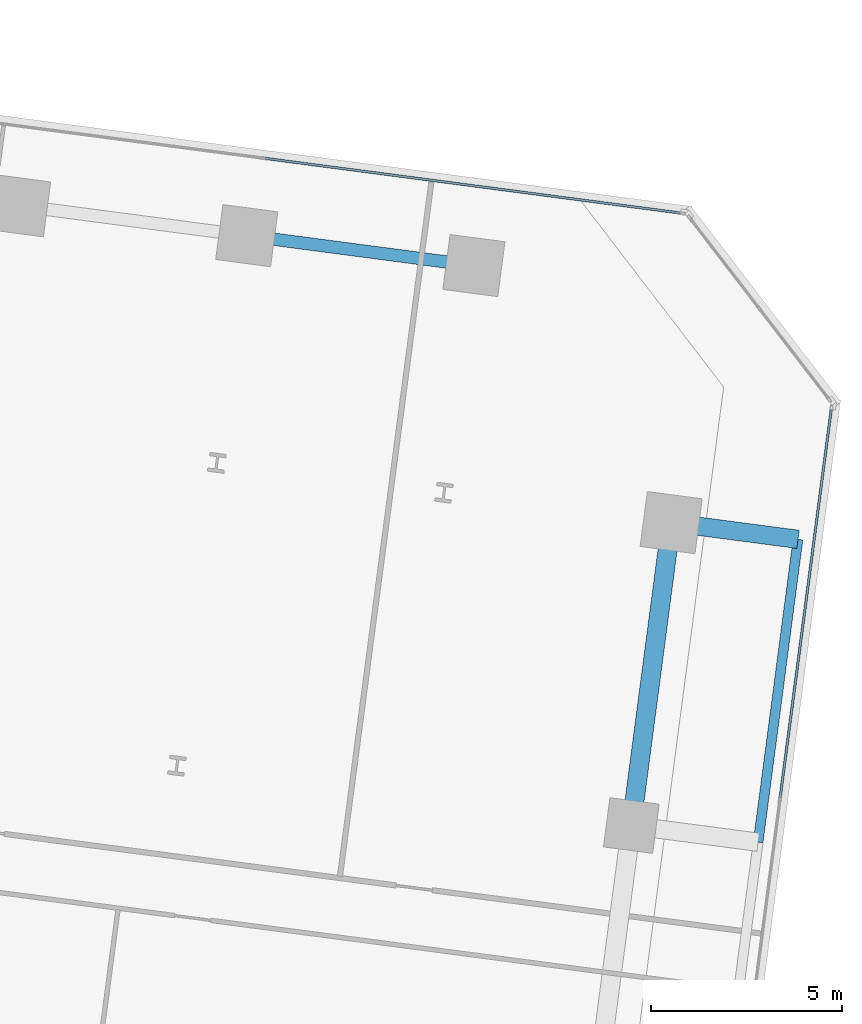
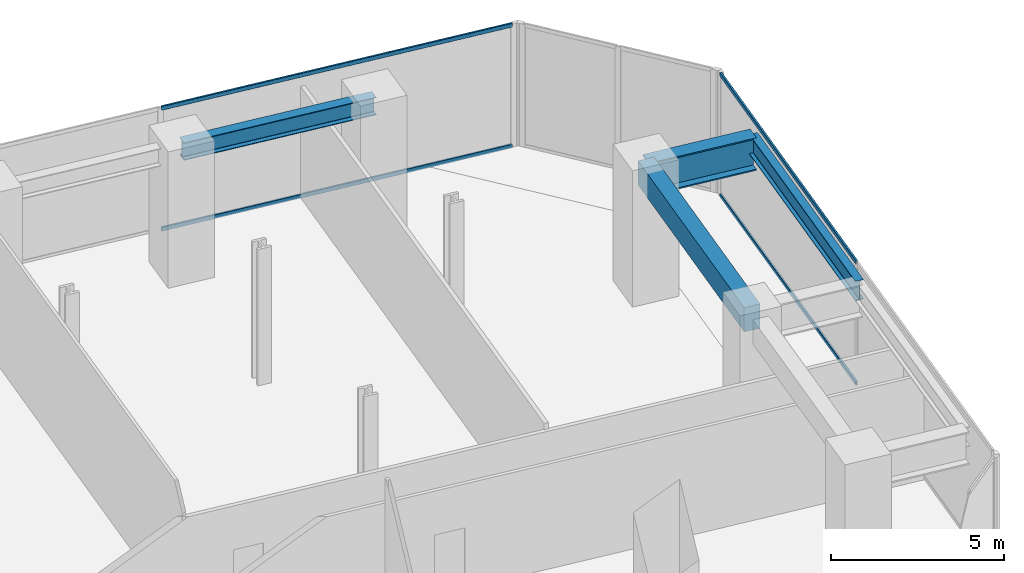
# One storey, part 13 of 24: 4 beams, 4 members, 2 elements without a shape of their own.
"""IFC4 building model written with IfcOpenShell, lengths in metres."""

import ifcopenshell
import ifcopenshell.guid

model = None  # the IFC model being written
_history = None  # IfcOwnerHistory: only IFC2X3 demands one
_inside = {}  # id of a spatial element -> (the spatial element, [elements in it])
_under = {}  # id of a project, library or spatial element -> (it, [spatial elements below it])
_declared = {}  # id of a project -> (the project, [libraries it declares])
_typed = {}  # id of a type object -> (the type object, [elements of that type])
_made_of = {}  # id of a material, layer set ... -> (it, [elements and type objects made of it])


def new_model(schema):
    """Start an empty IFC model of exactly this schema.

    Asked for "IFC4X3", IfcOpenShell would pick the latest addendum, in which some entities
    have other attributes; the version numbers below select the first issue.
    IFC2X3 requires an IfcOwnerHistory on every rooted entity: one is made here for all.
    """
    global model, _history
    if schema == "IFC4X3":
        model = ifcopenshell.file(schema_version=(4, 3, 0, 0))
    else:
        model = ifcopenshell.file(schema=schema)
    _inside.clear()
    _under.clear()
    _declared.clear()
    _typed.clear()
    _made_of.clear()
    _history = None
    if model.schema == "IFC2X3":
        org = make("IfcOrganization", Name="unknown")
        user = make(
            "IfcPersonAndOrganization",
            ThePerson=make("IfcPerson", FamilyName="unknown"),
            TheOrganization=org,
        )
        app = make(
            "IfcApplication",
            ApplicationDeveloper=org,
            Version="unknown",
            ApplicationFullName="unknown",
            ApplicationIdentifier="unknown",
        )
        _history = make(
            "IfcOwnerHistory",
            OwningUser=user,
            OwningApplication=app,
            ChangeAction="ADDED",
            CreationDate=0,
        )
    return model


def make(cls, **values):
    """One entity of the class cls with the attributes given. An attribute that is None is left unset."""
    return model.create_entity(
        cls, **{name: value for name, value in values.items() if value is not None}
    )


def rooted(cls, **values):
    """An entity with a GlobalId (a new one), such as an element, a storey or a relation."""
    return make(cls, GlobalId=ifcopenshell.guid.new(), OwnerHistory=_history, **values)


def si_unit(unit_type, name, prefix=None):
    """IfcSIUnit, for example si_unit("LENGTHUNIT", "METRE", prefix="MILLI")."""
    return make("IfcSIUnit", UnitType=unit_type, Prefix=prefix, Name=name)


def assignment(units):
    """IfcUnitAssignment: the units of a project."""
    return None if units is None else make("IfcUnitAssignment", Units=units)


def point(xyz):
    """IfcCartesianPoint."""
    return None if xyz is None else make("IfcCartesianPoint", Coordinates=xyz)


def direction(xyz):
    """IfcDirection."""
    return None if xyz is None else make("IfcDirection", DirectionRatios=xyz)


def frame(location, z_axis=None, x_axis=None):
    """IfcAxis2Placement3D, a coordinate frame: its origin and axes. An axis left out is left unset."""
    return make(
        "IfcAxis2Placement3D",
        Location=point(location),
        Axis=direction(z_axis),
        RefDirection=direction(x_axis),
    )


def frame_2d(location, x_axis=None):
    """IfcAxis2Placement2D, a coordinate frame in the plane: its origin and x axis."""
    return make(
        "IfcAxis2Placement2D", Location=point(location), RefDirection=direction(x_axis)
    )


def origin():
    """The frame at (0, 0, 0) with its axes left unset."""
    return frame((0.0, 0.0, 0.0))


def origin_2d():
    """The frame at (0, 0) in the plane with its x axis left unset."""
    return frame_2d((0.0, 0.0))


def place(relative_to, where):
    """IfcLocalPlacement: puts the frame where relative to a parent placement (None: the world)."""
    return make(
        "IfcLocalPlacement", PlacementRelTo=relative_to, RelativePlacement=where
    )


def context(
    kind, dimensions, precision=None, world=None, true_north=None, identifier=None
):
    """IfcGeometricRepresentationContext, for example the 3D "Model" context."""
    return make(
        "IfcGeometricRepresentationContext",
        ContextIdentifier=identifier,
        ContextType=kind,
        CoordinateSpaceDimension=dimensions,
        Precision=precision,
        WorldCoordinateSystem=world,
        TrueNorth=true_north,
    )


def subcontext(parent, identifier, kind, view, scale=None):
    """IfcGeometricRepresentationSubContext, for example "Body" below "Model"."""
    return make(
        "IfcGeometricRepresentationSubContext",
        ContextIdentifier=identifier,
        ContextType=kind,
        ParentContext=parent,
        TargetScale=scale,
        TargetView=view,
    )


def project(units=None, contexts=None):
    """IfcProject with its units and contexts."""
    return rooted(
        "IfcProject",
        Name="project",
        RepresentationContexts=contexts,
        UnitsInContext=assignment(units),
    )


def spatial(cls, under=None, at=None, **own):
    """A site, building, storey or space (cls), placed at a placement, below another one or the project."""
    s = rooted(cls, ObjectPlacement=at, **own)
    if under is not None:
        _under.setdefault(under.id(), (under, []))[1].append(s)
    return s


def profile(cls, at=None, kind="AREA", **sizes):
    """A parametric profile (cls). Its sizes go by their IFC names, for example OverallWidth=200.0."""
    return make(cls, ProfileType=kind, Position=at, **sizes)


def rectangle(**sizes):
    """IfcRectangleProfileDef."""
    return profile("IfcRectangleProfileDef", **sizes)


def hollow_rectangle(**sizes):
    """IfcRectangleHollowProfileDef."""
    return profile("IfcRectangleHollowProfileDef", **sizes)


def i_section(**sizes):
    """IfcIShapeProfileDef."""
    return profile("IfcIShapeProfileDef", **sizes)


def extrude(swept, where, along, depth):
    """IfcExtrudedAreaSolid: the profile swept, set in the frame where, extruded along a direction by depth."""
    return make(
        "IfcExtrudedAreaSolid",
        SweptArea=swept,
        Position=where,
        ExtrudedDirection=direction(along),
        Depth=depth,
    )


def shape(context_of_items, identifier, shape_type, items):
    """IfcShapeRepresentation: the items that make up one representation, for example the "Body"."""
    return make(
        "IfcShapeRepresentation",
        ContextOfItems=context_of_items,
        RepresentationIdentifier=identifier,
        RepresentationType=shape_type,
        Items=items,
    )


def source(mapping_origin, context_of_items, identifier, shape_type, items):
    """IfcRepresentationMap: a shape defined once, which mapped items show again and again."""
    return make(
        "IfcRepresentationMap",
        MappingOrigin=mapping_origin,
        MappedRepresentation=shape(context_of_items, identifier, shape_type, items),
    )


def transform(
    local_origin,
    x_axis=None,
    y_axis=None,
    z_axis=None,
    scale=None,
    scale2=None,
    scale3=None,
    uniform=True,
):
    """IfcCartesianTransformationOperator3D, or its non-uniform kind. x_axis, y_axis, z_axis: its Axis1, 2, 3."""
    if uniform:
        return make(
            "IfcCartesianTransformationOperator3D",
            Axis1=direction(x_axis),
            Axis2=direction(y_axis),
            LocalOrigin=point(local_origin),
            Scale=scale,
            Axis3=direction(z_axis),
        )
    return make(
        "IfcCartesianTransformationOperator3DnonUniform",
        Axis1=direction(x_axis),
        Axis2=direction(y_axis),
        LocalOrigin=point(local_origin),
        Scale=scale,
        Axis3=direction(z_axis),
        Scale2=scale2,
        Scale3=scale3,
    )


def mapped(mapping_source, mapping_target):
    """IfcMappedItem: shows the shape of a source again, moved by a transform."""
    return make(
        "IfcMappedItem", MappingSource=mapping_source, MappingTarget=mapping_target
    )


def material(Name=None, Category=None):
    """IfcMaterial."""
    return make("IfcMaterial", Name=Name, Category=Category)


def material_profile(
    of_material, cross_section, Name=None, Category=None, Priority=None
):
    """IfcMaterialProfile: a cross section and its material."""
    return make(
        "IfcMaterialProfile",
        Name=Name,
        Material=of_material,
        Profile=cross_section,
        Priority=Priority,
        Category=Category,
    )


def profile_set(profiles, Name=None, composite=None):
    """IfcMaterialProfileSet."""
    return make(
        "IfcMaterialProfileSet",
        Name=Name,
        MaterialProfiles=profiles,
        CompositeProfile=composite,
    )


def made_of(thing, what):
    """Note that an element or type object is made of a material, layer set ...; save() writes the relation."""
    if what is not None:
        _made_of.setdefault(what.id(), (what, []))[1].append(thing)
    return thing


def type_object(cls, material=None, **own):
    """A type object (cls), such as IfcWallType, which elements share."""
    return made_of(rooted(cls, **own), material)


def element(
    cls,
    number,
    at=None,
    inside=None,
    cuts=None,
    type_object=None,
    material=None,
    context=None,
    identifier="Body",
    shape_type=None,
    held_by="IfcProductDefinitionShape",
    body=None,
    shapes=None,
    **own,
):
    """One element of the class cls, such as IfcWall. Its Tag is "e" and its number.

    at: its placement. inside: the storey or other place that contains it. cuts: it is an
    opening in that element (IfcRelVoidsElement). A single representation is given by context,
    identifier, shape_type and body (its items); several are given by shapes. held_by: the class
    of the entity that holds the representations. save() writes the other relations.
    """
    e = rooted(cls, Tag="e%d" % number, ObjectPlacement=at, **own)
    if body is not None:
        shapes = [shape(context, identifier, shape_type, body)]
    if shapes is not None:
        e.Representation = make(held_by, Representations=shapes)
    if inside is not None:
        _inside.setdefault(inside.id(), (inside, []))[1].append(e)
    if cuts is not None:
        rooted(
            "IfcRelVoidsElement", RelatingBuildingElement=cuts, RelatedOpeningElement=e
        )
    if type_object is not None:
        _typed.setdefault(type_object.id(), (type_object, []))[1].append(e)
    return made_of(e, material)


def aggregate(whole, parts):
    """IfcRelAggregates: a whole, such as a stair, and the parts it consists of."""
    return rooted("IfcRelAggregates", RelatingObject=whole, RelatedObjects=parts)


def save(model, path):
    """Write the relations noted so far, then the file.

    IfcRelAggregates (storeys below a building ...), IfcRelContainedInSpatialStructure (elements
    in a storey), IfcRelDefinesByType, IfcRelAssociatesMaterial and IfcRelDeclares: one each for
    every whole, place, type object, material and project.
    """
    for whole, parts in _under.values():
        aggregate(whole, parts)
    for where, things in _inside.values():
        rooted(
            "IfcRelContainedInSpatialStructure",
            RelatedElements=things,
            RelatingStructure=where,
        )
    for kind, things in _typed.values():
        rooted("IfcRelDefinesByType", RelatedObjects=things, RelatingType=kind)
    for what, things in _made_of.values():
        rooted("IfcRelAssociatesMaterial", RelatedObjects=things, RelatingMaterial=what)
    for by, libraries in _declared.values():
        rooted("IfcRelDeclares", RelatingContext=by, RelatedDefinitions=libraries)
    model.write(path)


model = new_model("IFC4")

# Units and contexts
model_context = context("Model", 3, precision=1e-05, world=origin(), true_north=direction((0.0, 1.0)))
body_context = subcontext(model_context, "Body", "Model", "MODEL_VIEW")
ifc_project = project(units=[si_unit("LENGTHUNIT", "METRE"), si_unit("AREAUNIT", "SQUARE_METRE"), si_unit("VOLUMEUNIT", "CUBIC_METRE"), si_unit("PLANEANGLEUNIT", "RADIAN"), si_unit("MASSUNIT", "GRAM", prefix="KILO")], contexts=[model_context])

# Site, building, storey
site_placement = place(None, origin())
site = spatial("IfcSite", under=ifc_project, at=site_placement, CompositionType="ELEMENT")
building_placement = place(site_placement, origin())
building = spatial("IfcBuilding", under=site, at=building_placement, Name="Torre Montelarca", CompositionType="ELEMENT")
storey_placement = place(building_placement, frame((0.0, 0.0, 61.60009765625)))
storey = spatial("IfcBuildingStorey", under=building, at=storey_placement, Name="L13", CompositionType="ELEMENT", Elevation=61.60009765625)

# Beams
ifc_material_1 = material(Name="Steel ASTM A992 Grade 50", Category="steel")
ifc_material_profile_1 = material_profile(ifc_material_1, i_section(OverallWidth=0.326904296875, OverallDepth=0.6220703125, WebThickness=0.015380859375, FlangeThickness=0.0244140625, FilletRadius=0.014892578125, at=origin_2d()), Name="W610X195", Category="steel")
ifc_profile_set_1 = profile_set([ifc_material_profile_1], Name="Steel ASTM A992 Grade 50")
beam_type_1 = type_object("IfcBeamType", Name="BM-G-W610H", PredefinedType="BEAM", material=ifc_profile_set_1)
shared_shape_1 = source(origin(), body_context, "Body", "SweptSolid", [
    extrude(i_section(OverallWidth=0.326904296875, OverallDepth=0.6220703125, WebThickness=0.015380859375, FlangeThickness=0.0244140625, FilletRadius=0.014892578125, at=origin_2d()), origin(), (0.0, 0.0, 1.0), 6.0),
])
beam_1_placement = place(storey_placement, frame((49.6005859375, 42.42138671875, 4.2490234375), z_axis=(0.991444043898, -0.130532401413, 0.0), x_axis=(0.130532401413, 0.991444043898, 0.0)))
element("IfcBeam", 1, at=beam_1_placement, inside=storey, type_object=beam_type_1, Name="L13 Grid Girder X 48.0-54.0 at Y=46.0", PredefinedType="BEAM", context=body_context, shape_type="MappedRepresentation", body=[
    mapped(shared_shape_1, transform((0.0, 0.0, 0.0), scale=1.0)),
])
ifc_material_2 = material(Name="Concrete C55/67", Category="concrete")
ifc_material_profile_2 = material_profile(ifc_material_2, rectangle(XDim=0.5, YDim=0.85009765625, at=origin_2d()), Name="RCB500X850", Category="concrete")
ifc_profile_set_2 = profile_set([ifc_material_profile_2], Name="Concrete C55/67")
beam_type_2 = type_object("IfcBeamType", Name="BM-SP-RC850-EXT", PredefinedType="SPANDREL", material=ifc_profile_set_2)
shared_shape_2 = source(origin(), body_context, "Body", "SweptSolid", [
    extrude(rectangle(XDim=0.5, YDim=0.85009765625, at=origin_2d()), origin(), (0.0, 0.0, 1.0), 8.0),
])
beam_2_placement = place(storey_placement, frame((59.670654296875, 26.974609375, 4.135009765625), z_axis=(0.130522402305, 0.991445360318, 0.0), x_axis=(-0.991445360318, 0.130522402305, 0.0)))
element("IfcBeam", 2, at=beam_2_placement, inside=storey, type_object=beam_type_2, Name="L13 Grid Girder Y 32.0-40.0 at X=60.0", PredefinedType="SPANDREL", context=body_context, shape_type="MappedRepresentation", body=[
    mapped(shared_shape_2, transform((0.0, 0.0, 0.0), scale=1.0)),
])
ifc_material_3 = material(Name="Steel ASTM A572 Grade 50", Category="steel")
ifc_material_profile_3 = material_profile(ifc_material_3, i_section(OverallWidth=0.47998046875, OverallDepth=1.14990234375, WebThickness=0.02197265625, FlangeThickness=0.044921875, at=origin_2d()), Name="PG1150X480X22X45", Category="steel")
ifc_profile_set_3 = profile_set([ifc_material_profile_3], Name="Steel ASTM A572 Grade 50")
beam_type_3 = type_object("IfcBeamType", Name="BM-CG-PG1400-EXT", PredefinedType="USERDEFINED", material=ifc_profile_set_3)
shared_shape_3 = source(origin(), body_context, "Body", "SweptSolid", [
    extrude(i_section(OverallWidth=0.47998046875, OverallDepth=1.14990234375, WebThickness=0.02197265625, FlangeThickness=0.044921875, at=origin_2d()), origin(), (0.0, 0.0, 1.0), 3.349853515625),
])
beam_3_placement = place(storey_placement, frame((60.71484375, 34.90625, 3.98486328125), z_axis=(0.991444866817, -0.130526150873, 0.0), x_axis=(0.130526150873, 0.991444866817, 0.0)))
element("IfcBeam", 3, at=beam_3_placement, inside=storey, type_object=beam_type_3, Name="L13 Sliding Tray Cantilever Girder East Y=40m (FLR)", ObjectType="CANTILEVER GIRDER", PredefinedType="USERDEFINED", context=body_context, shape_type="MappedRepresentation", body=[
    mapped(shared_shape_3, transform((0.0, 0.0, 0.0), scale=1.0)),
])
ifc_material_profile_4 = material_profile(ifc_material_1, i_section(OverallWidth=0.256103515625, OverallDepth=0.693115234375, WebThickness=0.014404296875, FlangeThickness=0.023681640625, FilletRadius=0.01806640625, at=origin_2d()), Name="W690X170", Category="steel")
ifc_profile_set_4 = profile_set([ifc_material_profile_4], Name="Steel ASTM A992 Grade 50")
beam_type_4 = type_object("IfcBeamType", Name="BM-G-W690-EXT", PredefinedType="BEAM", material=ifc_profile_set_4)
shared_shape_4 = source(origin(), body_context, "Body", "SweptSolid", [
    extrude(i_section(OverallWidth=0.256103515625, OverallDepth=0.693115234375, WebThickness=0.014404296875, FlangeThickness=0.023681640625, FilletRadius=0.01806640625, at=origin_2d()), origin(), (0.0, 0.0, 1.0), 7.999755859375),
])
beam_4_placement = place(storey_placement, frame((62.991943359375, 26.53759765625, 4.212890625), z_axis=(0.130526351537, 0.991444840399, 0.0), x_axis=(-0.991444840399, 0.130526351537, 0.0)))
element("IfcBeam", 4, at=beam_4_placement, inside=storey, type_object=beam_type_4, Name="L13 Sliding Tray Edge Girder East 32-40m (FLR)", PredefinedType="BEAM", context=body_context, shape_type="MappedRepresentation", body=[
    mapped(shared_shape_4, transform((0.0, 0.0, 0.0), scale=1.0)),
])

# Curtain wall, members
ifc_material_4 = material(Name="Insulated low-E laminated glass", Category="glass")
curtain_wall_type = type_object("IfcCurtainWallType", Name="CW-SYS-Z1", PredefinedType="USERDEFINED", material=ifc_material_4)
curtain_wall_1_placement = place(storey_placement, origin())
curtain_wall_1 = element("IfcCurtainWall", 5, at=curtain_wall_1_placement, inside=storey, type_object=curtain_wall_type, Name="L13 Curtain Wall Run CW-T3-L13-E08-B1", ObjectType="UNITISED GLAZING", PredefinedType="USERDEFINED")
ifc_material_5 = material(Name="Anodised aluminium AA 6063-T6", Category="aluminium")
ifc_material_profile_5 = material_profile(ifc_material_5, hollow_rectangle(XDim=0.06494140625, YDim=0.139892578125, WallThickness=0.00390625, InnerFilletRadius=0.00390625, OuterFilletRadius=0.008056640625, at=origin_2d()), Name="ALU65X140X4", Category="aluminium")
ifc_profile_set_5 = profile_set([ifc_material_profile_5], Name="Anodised aluminium AA 6063-T6")
member_type = type_object("IfcMemberType", Name="CWT-ALU140", PredefinedType="USERDEFINED", material=ifc_profile_set_5)
shared_shape_5 = source(origin(), body_context, "Body", "SweptSolid", [
    extrude(hollow_rectangle(XDim=0.06494140625, YDim=0.139892578125, WallThickness=0.00390625, InnerFilletRadius=0.00390625, OuterFilletRadius=0.008056640625, at=origin_2d()), origin(), (0.0, 0.0, 1.0), 10.95458984375),
])
member_1_placement = place(storey_placement, frame((60.9443359375, 43.015869140625, 0.032470703125), z_axis=(-0.99144685997, 0.130511010475, 0.0), x_axis=(-0.130511010475, -0.99144685997, 0.0)))
member_1 = element("IfcMember", 6, at=member_1_placement, type_object=member_type, Name="CW transom 1.1", ObjectType="TRANSOM", PredefinedType="USERDEFINED", context=body_context, shape_type="MappedRepresentation", body=[
    mapped(shared_shape_5, transform((0.0, 0.0, 0.0), scale=1.0)),
])
member_2_placement = place(storey_placement, frame((60.9443359375, 43.015869140625, 4.287353515625), z_axis=(-0.99144685997, 0.130511010475, 0.0), x_axis=(-0.130511010475, -0.99144685997, 0.0)))
member_2 = element("IfcMember", 7, at=member_2_placement, type_object=member_type, Name="CW transom 1.2", ObjectType="TRANSOM", PredefinedType="USERDEFINED", context=body_context, shape_type="MappedRepresentation", body=[
    mapped(shared_shape_5, transform((0.0, 0.0, 0.0), scale=1.0)),
])
aggregate(curtain_wall_1, [member_1, member_2])

curtain_wall_2_placement = place(storey_placement, origin())
curtain_wall_2 = element("IfcCurtainWall", 8, at=curtain_wall_2_placement, inside=storey, type_object=curtain_wall_type, Name="L13 Curtain Wall Run CW-T3-L13-E06-B1", ObjectType="UNITISED GLAZING", PredefinedType="USERDEFINED")
shared_shape_6 = source(origin(), body_context, "Body", "SweptSolid", [
    extrude(hollow_rectangle(XDim=0.06494140625, YDim=0.139892578125, WallThickness=0.00390625, InnerFilletRadius=0.00390625, OuterFilletRadius=0.008056640625, at=origin_2d()), origin(), (0.0, 0.0, 1.0), 10.23681640625),
])
member_3_placement = place(storey_placement, frame((63.5693359375, 27.70458984375, 0.032470703125), z_axis=(0.130504484341, 0.991447719029, 0.0), x_axis=(-0.991447719029, 0.130504484341, 0.0)))
member_3 = element("IfcMember", 9, at=member_3_placement, type_object=member_type, Name="CW transom 2.1", ObjectType="TRANSOM", PredefinedType="USERDEFINED", context=body_context, shape_type="MappedRepresentation", body=[
    mapped(shared_shape_6, transform((0.0, 0.0, 0.0), scale=1.0)),
])
member_4_placement = place(storey_placement, frame((63.5693359375, 27.70458984375, 4.287353515625), z_axis=(0.130504484341, 0.991447719029, 0.0), x_axis=(-0.991447719029, 0.130504484341, 0.0)))
member_4 = element("IfcMember", 10, at=member_4_placement, type_object=member_type, Name="CW transom 2.2", ObjectType="TRANSOM", PredefinedType="USERDEFINED", context=body_context, shape_type="MappedRepresentation", body=[
    mapped(shared_shape_6, transform((0.0, 0.0, 0.0), scale=1.0)),
])
aggregate(curtain_wall_2, [member_3, member_4])

save(model, "model.ifc")
